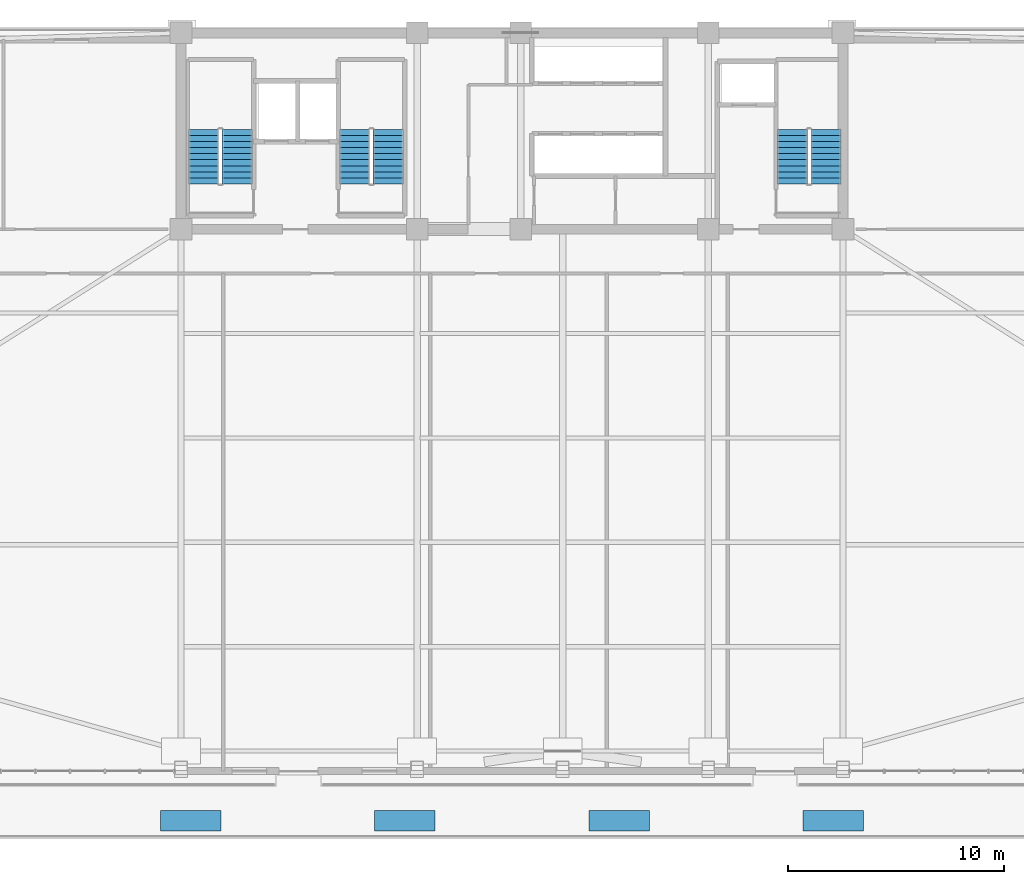
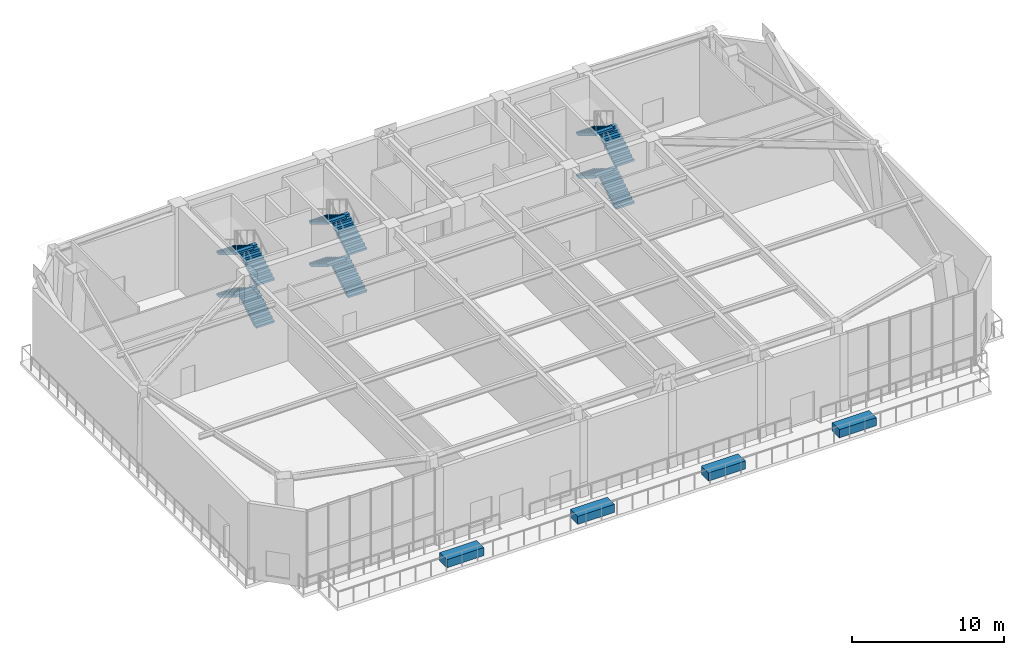
# One storey, part 11 of 16: 12 stair flights, 4 discrete accessories, 3 elements without a shape of their own.
"""IFC4 building model written with IfcOpenShell, lengths in metres."""

from ifc_helpers import new_model, si_unit, direction, frame, origin, origin_2d, place, context, subcontext, project, spatial, polyline, rectangle, outline, extrude, source, transform, mapped, material, type_object, element, aggregate, save


model = new_model("IFC4")

# Units and contexts
model_context = context("Model", 3, precision=1e-05, world=origin(), true_north=direction((0.0, 1.0)))
body_context = subcontext(model_context, "Body", "Model", "MODEL_VIEW")
ifc_project = project(units=[si_unit("LENGTHUNIT", "METRE"), si_unit("AREAUNIT", "SQUARE_METRE"), si_unit("VOLUMEUNIT", "CUBIC_METRE"), si_unit("PLANEANGLEUNIT", "RADIAN"), si_unit("MASSUNIT", "GRAM", prefix="KILO")], contexts=[model_context])

# Site, building, storey
site_placement = place(None, origin())
site = spatial("IfcSite", under=ifc_project, at=site_placement, CompositionType="ELEMENT")
building_placement = place(site_placement, origin())
building = spatial("IfcBuilding", under=site, at=building_placement, Name="Giltprow Tower", CompositionType="ELEMENT")
storey_placement = place(building_placement, frame((0.0, 0.0, 220.199951171875)))
storey = spatial("IfcBuildingStorey", under=building, at=storey_placement, Name="L56", CompositionType="ELEMENT", Elevation=220.199951171875)

# Stair, stair flights
ifc_material_1 = material(Name="Concrete C40", Category="concrete")
stair_type_1 = type_object("IfcStairType", Name="STR-ST-1", PredefinedType="HALF_TURN_STAIR", material=ifc_material_1)
stair_1_placement = place(storey_placement, origin())
stair_1 = element("IfcStair", 1, at=stair_1_placement, inside=storey, type_object=stair_type_1, Name="L56 Core Exit Stair ST-1", PredefinedType="HALF_TURN_STAIR")
stair_flight_type_1 = type_object("IfcStairFlightType", Name="SFL-ST-1", PredefinedType="STRAIGHT", material=ifc_material_1)
stair_flight_1_placement = place(storey_placement, frame((22.4599609375, 39.550048828125, 0.0), z_axis=(0.0, 0.0, 1.0), x_axis=(0.0, 1.0, 0.0)))
stair_flight_1 = element("IfcStairFlight", 2, at=stair_flight_1_placement, type_object=stair_flight_type_1, Name="ST-1 flight 1", NumberOfRisers=10, NumberOfTreads=9, PredefinedType="STRAIGHT", RiserHeight=0.17, TreadLength=0.28, context=body_context, shape_type="SweptSolid", body=[
    extrude(outline(polyline([(0.0, 0.0), (0.0, 0.169921875), (0.280029296875, 0.169921875), (0.280029296875, 0.340087890625), (0.56005859375, 0.340087890625), (0.56005859375, 0.510009765625), (0.840087890625, 0.510009765625), (0.840087890625, 0.679931640625), (1.1201171875, 0.679931640625), (1.1201171875, 0.85009765625), (1.39990234375, 0.85009765625), (1.39990234375, 1.02001953125), (1.679931640625, 1.02001953125), (1.679931640625, 1.18994140625), (1.9599609375, 1.18994140625), (1.9599609375, 1.360107421875), (2.239990234375, 1.360107421875), (2.239990234375, 1.530029296875), (2.52001953125, 1.530029296875), (2.52001953125, 1.699951171875), (2.52001953125, 1.354736328125), (0.288818359375, 0.0), (0.0, 0.0)])), frame((0.0, 0.699951171875, 0.0), z_axis=(0.0, -1.0, 0.0), x_axis=(1.0, 0.0, 0.0)), (0.0, 0.0, 1.0), 1.39990234375),
])
stair_flight_2_placement = place(storey_placement, frame((20.89990234375, 42.070068359375, 1.699951171875), z_axis=(0.0, 0.0, 1.0), x_axis=(0.0, -1.0, 0.0)))
stair_flight_2 = element("IfcStairFlight", 3, at=stair_flight_2_placement, type_object=stair_flight_type_1, Name="ST-1 flight 2", NumberOfRisers=10, NumberOfTreads=9, PredefinedType="STRAIGHT", RiserHeight=0.17, TreadLength=0.28, context=body_context, shape_type="SweptSolid", body=[
    extrude(outline(polyline([(0.0, 0.0), (0.0, 0.169921875), (0.280029296875, 0.169921875), (0.280029296875, 0.340087890625), (0.56005859375, 0.340087890625), (0.56005859375, 0.510009765625), (0.840087890625, 0.510009765625), (0.840087890625, 0.679931640625), (1.1201171875, 0.679931640625), (1.1201171875, 0.85009765625), (1.39990234375, 0.85009765625), (1.39990234375, 1.02001953125), (1.679931640625, 1.02001953125), (1.679931640625, 1.18994140625), (1.9599609375, 1.18994140625), (1.9599609375, 1.360107421875), (2.239990234375, 1.360107421875), (2.239990234375, 1.530029296875), (2.52001953125, 1.530029296875), (2.52001953125, 1.699951171875), (2.52001953125, 1.354736328125), (0.288818359375, 0.0), (0.0, 0.0)])), frame((0.0, 0.699951171875, 0.0), z_axis=(0.0, -1.0, 0.0), x_axis=(1.0, 0.0, 0.0)), (0.0, 0.0, 1.0), 1.39990234375),
])
stair_flight_3_placement = place(storey_placement, frame((22.4599609375, 39.550048828125, 3.400146484375), z_axis=(0.0, 0.0, 1.0), x_axis=(0.0, 1.0, 0.0)))
stair_flight_3 = element("IfcStairFlight", 4, at=stair_flight_3_placement, type_object=stair_flight_type_1, Name="ST-1 flight 3", NumberOfRisers=10, NumberOfTreads=9, PredefinedType="STRAIGHT", RiserHeight=0.17, TreadLength=0.28, context=body_context, shape_type="SweptSolid", body=[
    extrude(outline(polyline([(0.0, 0.0), (0.0, 0.169921875), (0.280029296875, 0.169921875), (0.280029296875, 0.340087890625), (0.56005859375, 0.340087890625), (0.56005859375, 0.510009765625), (0.840087890625, 0.510009765625), (0.840087890625, 0.679931640625), (1.1201171875, 0.679931640625), (1.1201171875, 0.85009765625), (1.39990234375, 0.85009765625), (1.39990234375, 1.02001953125), (1.679931640625, 1.02001953125), (1.679931640625, 1.18994140625), (1.9599609375, 1.18994140625), (1.9599609375, 1.360107421875), (2.239990234375, 1.360107421875), (2.239990234375, 1.530029296875), (2.52001953125, 1.530029296875), (2.52001953125, 1.699951171875), (2.52001953125, 1.354736328125), (0.288818359375, 0.0), (0.0, 0.0)])), frame((0.0, 0.699951171875, 0.0), z_axis=(0.0, -1.0, 0.0), x_axis=(1.0, 0.0, 0.0)), (0.0, 0.0, 1.0), 1.39990234375),
])
stair_flight_4_placement = place(storey_placement, frame((20.89990234375, 42.070068359375, 5.10009765625), z_axis=(0.0, 0.0, 1.0), x_axis=(0.0, -1.0, 0.0)))
stair_flight_4 = element("IfcStairFlight", 5, at=stair_flight_4_placement, type_object=stair_flight_type_1, Name="ST-1 flight 4", NumberOfRisers=10, NumberOfTreads=9, PredefinedType="STRAIGHT", RiserHeight=0.17, TreadLength=0.28, context=body_context, shape_type="SweptSolid", body=[
    extrude(outline(polyline([(0.0, 0.0), (0.0, 0.169921875), (0.280029296875, 0.169921875), (0.280029296875, 0.340087890625), (0.56005859375, 0.340087890625), (0.56005859375, 0.510009765625), (0.840087890625, 0.510009765625), (0.840087890625, 0.679931640625), (1.1201171875, 0.679931640625), (1.1201171875, 0.85009765625), (1.39990234375, 0.85009765625), (1.39990234375, 1.02001953125), (1.679931640625, 1.02001953125), (1.679931640625, 1.18994140625), (1.9599609375, 1.18994140625), (1.9599609375, 1.360107421875), (2.239990234375, 1.360107421875), (2.239990234375, 1.530029296875), (2.52001953125, 1.530029296875), (2.52001953125, 1.699951171875), (2.52001953125, 1.354736328125), (0.288818359375, 0.0), (0.0, 0.0)])), frame((0.0, 0.699951171875, 0.0), z_axis=(0.0, -1.0, 0.0), x_axis=(1.0, 0.0, 0.0)), (0.0, 0.0, 1.0), 1.39990234375),
])
aggregate(stair_1, [stair_flight_1, stair_flight_2, stair_flight_3, stair_flight_4])

stair_type_2 = type_object("IfcStairType", Name="STR-ST-2", PredefinedType="HALF_TURN_STAIR", material=ifc_material_1)
stair_2_placement = place(storey_placement, origin())
stair_2 = element("IfcStair", 6, at=stair_2_placement, inside=storey, type_object=stair_type_2, Name="L56 Core Exit Stair ST-2", PredefinedType="HALF_TURN_STAIR")
stair_flight_type_2 = type_object("IfcStairFlightType", Name="SFL-ST-2", PredefinedType="STRAIGHT", material=ifc_material_1)
stair_flight_5_placement = place(storey_placement, frame((29.4599609375, 39.550048828125, 0.0), z_axis=(0.0, 0.0, 1.0), x_axis=(0.0, 1.0, 0.0)))
stair_flight_5 = element("IfcStairFlight", 7, at=stair_flight_5_placement, type_object=stair_flight_type_2, Name="ST-2 flight 1", NumberOfRisers=10, NumberOfTreads=9, PredefinedType="STRAIGHT", RiserHeight=0.17, TreadLength=0.28, context=body_context, shape_type="SweptSolid", body=[
    extrude(outline(polyline([(0.0, 0.0), (0.0, 0.169921875), (0.280029296875, 0.169921875), (0.280029296875, 0.340087890625), (0.56005859375, 0.340087890625), (0.56005859375, 0.510009765625), (0.840087890625, 0.510009765625), (0.840087890625, 0.679931640625), (1.1201171875, 0.679931640625), (1.1201171875, 0.85009765625), (1.39990234375, 0.85009765625), (1.39990234375, 1.02001953125), (1.679931640625, 1.02001953125), (1.679931640625, 1.18994140625), (1.9599609375, 1.18994140625), (1.9599609375, 1.360107421875), (2.239990234375, 1.360107421875), (2.239990234375, 1.530029296875), (2.52001953125, 1.530029296875), (2.52001953125, 1.699951171875), (2.52001953125, 1.354736328125), (0.288818359375, 0.0), (0.0, 0.0)])), frame((0.0, 0.699951171875, 0.0), z_axis=(0.0, -1.0, 0.0), x_axis=(1.0, 0.0, 0.0)), (0.0, 0.0, 1.0), 1.39990234375),
])
stair_flight_6_placement = place(storey_placement, frame((27.89990234375, 42.070068359375, 1.699951171875), z_axis=(0.0, 0.0, 1.0), x_axis=(0.0, -1.0, 0.0)))
stair_flight_6 = element("IfcStairFlight", 8, at=stair_flight_6_placement, type_object=stair_flight_type_2, Name="ST-2 flight 2", NumberOfRisers=10, NumberOfTreads=9, PredefinedType="STRAIGHT", RiserHeight=0.17, TreadLength=0.28, context=body_context, shape_type="SweptSolid", body=[
    extrude(outline(polyline([(0.0, 0.0), (0.0, 0.169921875), (0.280029296875, 0.169921875), (0.280029296875, 0.340087890625), (0.56005859375, 0.340087890625), (0.56005859375, 0.510009765625), (0.840087890625, 0.510009765625), (0.840087890625, 0.679931640625), (1.1201171875, 0.679931640625), (1.1201171875, 0.85009765625), (1.39990234375, 0.85009765625), (1.39990234375, 1.02001953125), (1.679931640625, 1.02001953125), (1.679931640625, 1.18994140625), (1.9599609375, 1.18994140625), (1.9599609375, 1.360107421875), (2.239990234375, 1.360107421875), (2.239990234375, 1.530029296875), (2.52001953125, 1.530029296875), (2.52001953125, 1.699951171875), (2.52001953125, 1.354736328125), (0.288818359375, 0.0), (0.0, 0.0)])), frame((0.0, 0.699951171875, 0.0), z_axis=(0.0, -1.0, 0.0), x_axis=(1.0, 0.0, 0.0)), (0.0, 0.0, 1.0), 1.39990234375),
])
stair_flight_7_placement = place(storey_placement, frame((29.4599609375, 39.550048828125, 3.400146484375), z_axis=(0.0, 0.0, 1.0), x_axis=(0.0, 1.0, 0.0)))
stair_flight_7 = element("IfcStairFlight", 9, at=stair_flight_7_placement, type_object=stair_flight_type_2, Name="ST-2 flight 3", NumberOfRisers=10, NumberOfTreads=9, PredefinedType="STRAIGHT", RiserHeight=0.17, TreadLength=0.28, context=body_context, shape_type="SweptSolid", body=[
    extrude(outline(polyline([(0.0, 0.0), (0.0, 0.169921875), (0.280029296875, 0.169921875), (0.280029296875, 0.340087890625), (0.56005859375, 0.340087890625), (0.56005859375, 0.510009765625), (0.840087890625, 0.510009765625), (0.840087890625, 0.679931640625), (1.1201171875, 0.679931640625), (1.1201171875, 0.85009765625), (1.39990234375, 0.85009765625), (1.39990234375, 1.02001953125), (1.679931640625, 1.02001953125), (1.679931640625, 1.18994140625), (1.9599609375, 1.18994140625), (1.9599609375, 1.360107421875), (2.239990234375, 1.360107421875), (2.239990234375, 1.530029296875), (2.52001953125, 1.530029296875), (2.52001953125, 1.699951171875), (2.52001953125, 1.354736328125), (0.288818359375, 0.0), (0.0, 0.0)])), frame((0.0, 0.699951171875, 0.0), z_axis=(0.0, -1.0, 0.0), x_axis=(1.0, 0.0, 0.0)), (0.0, 0.0, 1.0), 1.39990234375),
])
stair_flight_8_placement = place(storey_placement, frame((27.89990234375, 42.070068359375, 5.10009765625), z_axis=(0.0, 0.0, 1.0), x_axis=(0.0, -1.0, 0.0)))
stair_flight_8 = element("IfcStairFlight", 10, at=stair_flight_8_placement, type_object=stair_flight_type_2, Name="ST-2 flight 4", NumberOfRisers=10, NumberOfTreads=9, PredefinedType="STRAIGHT", RiserHeight=0.17, TreadLength=0.28, context=body_context, shape_type="SweptSolid", body=[
    extrude(outline(polyline([(0.0, 0.0), (0.0, 0.169921875), (0.280029296875, 0.169921875), (0.280029296875, 0.340087890625), (0.56005859375, 0.340087890625), (0.56005859375, 0.510009765625), (0.840087890625, 0.510009765625), (0.840087890625, 0.679931640625), (1.1201171875, 0.679931640625), (1.1201171875, 0.85009765625), (1.39990234375, 0.85009765625), (1.39990234375, 1.02001953125), (1.679931640625, 1.02001953125), (1.679931640625, 1.18994140625), (1.9599609375, 1.18994140625), (1.9599609375, 1.360107421875), (2.239990234375, 1.360107421875), (2.239990234375, 1.530029296875), (2.52001953125, 1.530029296875), (2.52001953125, 1.699951171875), (2.52001953125, 1.354736328125), (0.288818359375, 0.0), (0.0, 0.0)])), frame((0.0, 0.699951171875, 0.0), z_axis=(0.0, -1.0, 0.0), x_axis=(1.0, 0.0, 0.0)), (0.0, 0.0, 1.0), 1.39990234375),
])
aggregate(stair_2, [stair_flight_5, stair_flight_6, stair_flight_7, stair_flight_8])

stair_type_3 = type_object("IfcStairType", Name="STR-ST-3", PredefinedType="HALF_TURN_STAIR", material=ifc_material_1)
stair_3_placement = place(storey_placement, origin())
stair_3 = element("IfcStair", 11, at=stair_3_placement, inside=storey, type_object=stair_type_3, Name="L56 Core Exit Stair ST-3", PredefinedType="HALF_TURN_STAIR")
stair_flight_type_3 = type_object("IfcStairFlightType", Name="SFL-ST-3", PredefinedType="STRAIGHT", material=ifc_material_1)
stair_flight_9_placement = place(storey_placement, frame((49.760009765625, 39.550048828125, 0.0), z_axis=(0.0, 0.0, 1.0), x_axis=(0.0, 1.0, 0.0)))
stair_flight_9 = element("IfcStairFlight", 12, at=stair_flight_9_placement, type_object=stair_flight_type_3, Name="ST-3 flight 1", NumberOfRisers=10, NumberOfTreads=9, PredefinedType="STRAIGHT", RiserHeight=0.17, TreadLength=0.28, context=body_context, shape_type="SweptSolid", body=[
    extrude(outline(polyline([(0.0, 0.0), (0.0, 0.169921875), (0.280029296875, 0.169921875), (0.280029296875, 0.340087890625), (0.56005859375, 0.340087890625), (0.56005859375, 0.510009765625), (0.840087890625, 0.510009765625), (0.840087890625, 0.679931640625), (1.1201171875, 0.679931640625), (1.1201171875, 0.85009765625), (1.39990234375, 0.85009765625), (1.39990234375, 1.02001953125), (1.679931640625, 1.02001953125), (1.679931640625, 1.18994140625), (1.9599609375, 1.18994140625), (1.9599609375, 1.360107421875), (2.239990234375, 1.360107421875), (2.239990234375, 1.530029296875), (2.52001953125, 1.530029296875), (2.52001953125, 1.699951171875), (2.52001953125, 1.354736328125), (0.288818359375, 0.0), (0.0, 0.0)])), frame((0.0, 0.699951171875, 0.0), z_axis=(0.0, -1.0, 0.0), x_axis=(1.0, 0.0, 0.0)), (0.0, 0.0, 1.0), 1.39990234375),
])
stair_flight_10_placement = place(storey_placement, frame((48.199951171875, 42.070068359375, 1.699951171875), z_axis=(0.0, 0.0, 1.0), x_axis=(0.0, -1.0, 0.0)))
stair_flight_10 = element("IfcStairFlight", 13, at=stair_flight_10_placement, type_object=stair_flight_type_3, Name="ST-3 flight 2", NumberOfRisers=10, NumberOfTreads=9, PredefinedType="STRAIGHT", RiserHeight=0.17, TreadLength=0.28, context=body_context, shape_type="SweptSolid", body=[
    extrude(outline(polyline([(0.0, 0.0), (0.0, 0.169921875), (0.280029296875, 0.169921875), (0.280029296875, 0.340087890625), (0.56005859375, 0.340087890625), (0.56005859375, 0.510009765625), (0.840087890625, 0.510009765625), (0.840087890625, 0.679931640625), (1.1201171875, 0.679931640625), (1.1201171875, 0.85009765625), (1.39990234375, 0.85009765625), (1.39990234375, 1.02001953125), (1.679931640625, 1.02001953125), (1.679931640625, 1.18994140625), (1.9599609375, 1.18994140625), (1.9599609375, 1.360107421875), (2.239990234375, 1.360107421875), (2.239990234375, 1.530029296875), (2.52001953125, 1.530029296875), (2.52001953125, 1.699951171875), (2.52001953125, 1.354736328125), (0.288818359375, 0.0), (0.0, 0.0)])), frame((0.0, 0.699951171875, 0.0), z_axis=(0.0, -1.0, 0.0), x_axis=(1.0, 0.0, 0.0)), (0.0, 0.0, 1.0), 1.39990234375),
])
stair_flight_11_placement = place(storey_placement, frame((49.760009765625, 39.550048828125, 3.400146484375), z_axis=(0.0, 0.0, 1.0), x_axis=(0.0, 1.0, 0.0)))
stair_flight_11 = element("IfcStairFlight", 14, at=stair_flight_11_placement, type_object=stair_flight_type_3, Name="ST-3 flight 3", NumberOfRisers=10, NumberOfTreads=9, PredefinedType="STRAIGHT", RiserHeight=0.17, TreadLength=0.28, context=body_context, shape_type="SweptSolid", body=[
    extrude(outline(polyline([(0.0, 0.0), (0.0, 0.169921875), (0.280029296875, 0.169921875), (0.280029296875, 0.340087890625), (0.56005859375, 0.340087890625), (0.56005859375, 0.510009765625), (0.840087890625, 0.510009765625), (0.840087890625, 0.679931640625), (1.1201171875, 0.679931640625), (1.1201171875, 0.85009765625), (1.39990234375, 0.85009765625), (1.39990234375, 1.02001953125), (1.679931640625, 1.02001953125), (1.679931640625, 1.18994140625), (1.9599609375, 1.18994140625), (1.9599609375, 1.360107421875), (2.239990234375, 1.360107421875), (2.239990234375, 1.530029296875), (2.52001953125, 1.530029296875), (2.52001953125, 1.699951171875), (2.52001953125, 1.354736328125), (0.288818359375, 0.0), (0.0, 0.0)])), frame((0.0, 0.699951171875, 0.0), z_axis=(0.0, -1.0, 0.0), x_axis=(1.0, 0.0, 0.0)), (0.0, 0.0, 1.0), 1.39990234375),
])
stair_flight_12_placement = place(storey_placement, frame((48.199951171875, 42.070068359375, 5.10009765625), z_axis=(0.0, 0.0, 1.0), x_axis=(0.0, -1.0, 0.0)))
stair_flight_12 = element("IfcStairFlight", 15, at=stair_flight_12_placement, type_object=stair_flight_type_3, Name="ST-3 flight 4", NumberOfRisers=10, NumberOfTreads=9, PredefinedType="STRAIGHT", RiserHeight=0.17, TreadLength=0.28, context=body_context, shape_type="SweptSolid", body=[
    extrude(outline(polyline([(0.0, 0.0), (0.0, 0.169921875), (0.280029296875, 0.169921875), (0.280029296875, 0.340087890625), (0.56005859375, 0.340087890625), (0.56005859375, 0.510009765625), (0.840087890625, 0.510009765625), (0.840087890625, 0.679931640625), (1.1201171875, 0.679931640625), (1.1201171875, 0.85009765625), (1.39990234375, 0.85009765625), (1.39990234375, 1.02001953125), (1.679931640625, 1.02001953125), (1.679931640625, 1.18994140625), (1.9599609375, 1.18994140625), (1.9599609375, 1.360107421875), (2.239990234375, 1.360107421875), (2.239990234375, 1.530029296875), (2.52001953125, 1.530029296875), (2.52001953125, 1.699951171875), (2.52001953125, 1.354736328125), (0.288818359375, 0.0), (0.0, 0.0)])), frame((0.0, 0.699951171875, 0.0), z_axis=(0.0, -1.0, 0.0), x_axis=(1.0, 0.0, 0.0)), (0.0, 0.0, 1.0), 1.39990234375),
])
aggregate(stair_3, [stair_flight_9, stair_flight_10, stair_flight_11, stair_flight_12])

# Discrete accessories
ifc_material_2 = material(Name="Precast concrete C40", Category="concrete")
discrete_accessory_type = type_object("IfcDiscreteAccessoryType", Name="ACC-PLANTER-BOX", PredefinedType="USERDEFINED", material=ifc_material_2)
shared_shape = source(origin(), body_context, "Body", "SweptSolid", [
    extrude(rectangle(XDim=2.800048828125, YDim=0.949951171875, at=origin_2d()), origin(), (0.0, 0.0, 1.0), 0.64990234375),
])
for number, where, z_axis, x_axis, name in (
    (16, (20.302978515625, 10.01806640625, 0.0), (0.0, 0.0, 1.0), (1.0, 0.0, 0.0), "L56 Sky Garden Tree Planter PLN-1"),
    (17, (30.23388671875, 10.01806640625, 0.0), (0.0, 0.0, 1.0), (1.0, 0.0, 0.0), "L56 Sky Garden Tree Planter PLN-2"),
    (18, (40.166015625, 10.01806640625, 0.0), (0.0, 0.0, 1.0), (1.0, 0.0, 0.0), "L56 Sky Garden Tree Planter PLN-3"),
    (19, (50.096923828125, 10.01806640625, 0.0), (0.0, 0.0, 1.0), (1.0, 0.0, 0.0), "L56 Sky Garden Tree Planter PLN-4"),
):
    element("IfcDiscreteAccessory", number, at=place(storey_placement, frame(where, z_axis=z_axis, x_axis=x_axis)), inside=storey, type_object=discrete_accessory_type, Name=name, ObjectType="PLANTER", PredefinedType="USERDEFINED", context=body_context, shape_type="MappedRepresentation", body=[
        mapped(shared_shape, transform((0.0, 0.0, 0.0), x_axis=(1.0, 0.0, 0.0), y_axis=(0.0, 1.0, 0.0), z_axis=(0.0, 0.0, 1.0), scale=1.0)),
    ])

save(model, "model.ifc")
